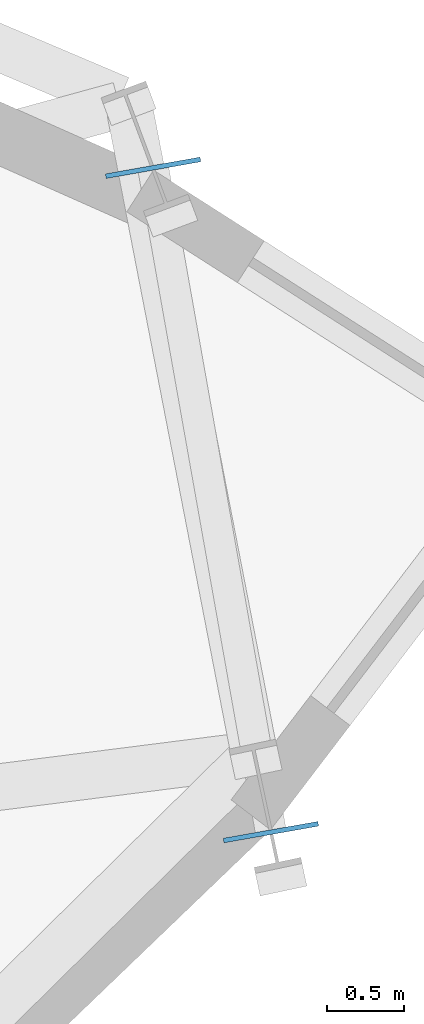
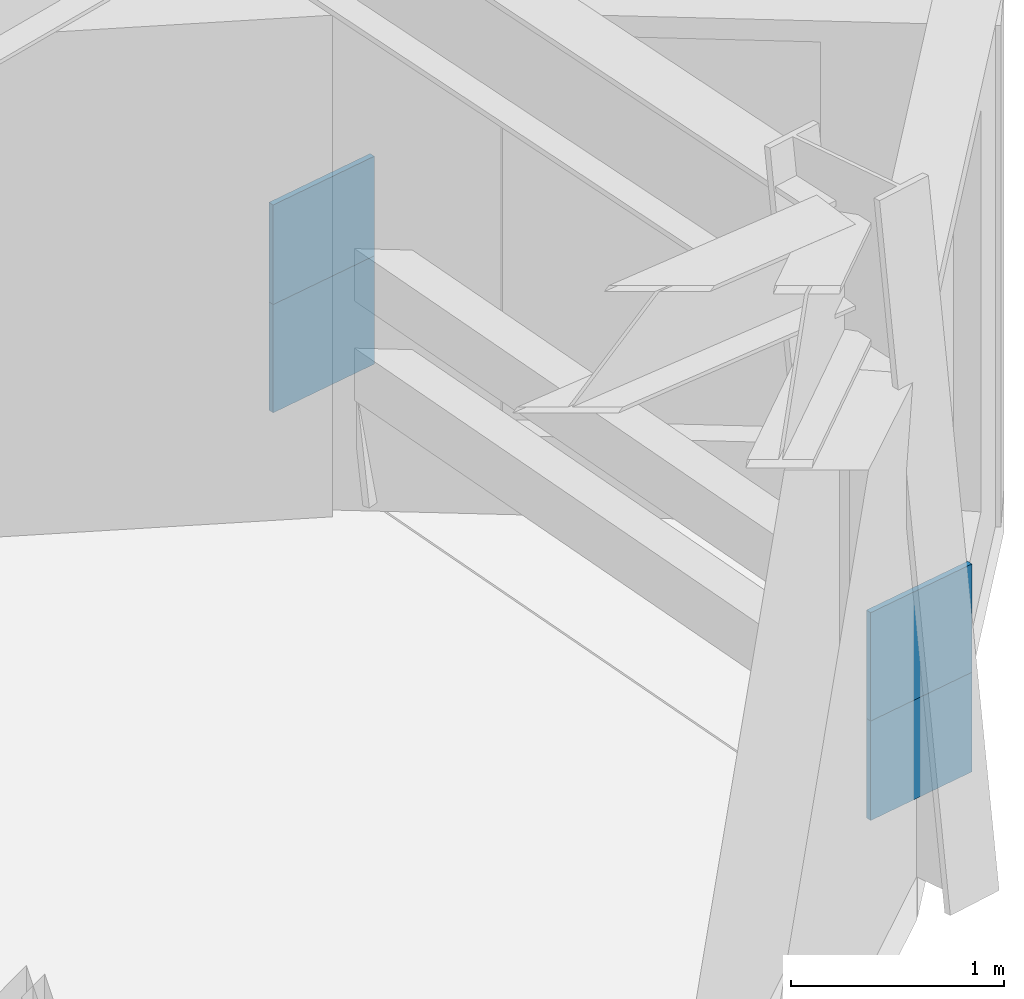
# One storey, part 11 of 17: 4 plates.
"""IFC4 building model written with IfcOpenShell, lengths in metres."""

from ifc_helpers import new_model, si_unit, direction, frame, origin, origin_2d, place, context, subcontext, project, spatial, rectangle, extrude, source, transform, mapped, material, type_object, element, save


model = new_model("IFC4")

# Units and contexts
model_context = context("Model", 3, precision=1e-05, world=origin(), true_north=direction((0.0, 1.0)))
body_context = subcontext(model_context, "Body", "Model", "MODEL_VIEW")
ifc_project = project(units=[si_unit("LENGTHUNIT", "METRE"), si_unit("AREAUNIT", "SQUARE_METRE"), si_unit("VOLUMEUNIT", "CUBIC_METRE"), si_unit("PLANEANGLEUNIT", "RADIAN"), si_unit("MASSUNIT", "GRAM", prefix="KILO")], contexts=[model_context])

# Site, building, storey
site_placement = place(None, origin())
site = spatial("IfcSite", under=ifc_project, at=site_placement, CompositionType="ELEMENT")
building_placement = place(site_placement, origin())
building = spatial("IfcBuilding", under=site, at=building_placement, Name="Olszyna Solenne Hotel", CompositionType="ELEMENT")
storey_placement = place(building_placement, frame((0.0, 0.0, 75.89990234375)))
storey = spatial("IfcBuildingStorey", under=building, at=storey_placement, Name="L19", CompositionType="ELEMENT", Elevation=75.89990234375)

# Plates
ifc_material = material(Name="Steel S460M", Category="steel")
plate_type = type_object("IfcPlateType", Name="GP-CAP2", PredefinedType="USERDEFINED", material=ifc_material)
shared_shape = source(origin(), body_context, "Body", "SweptSolid", [
    extrude(rectangle(XDim=0.030029296875, YDim=0.6201171875, at=origin_2d()), origin(), (0.0, 0.0, 1.0), 0.6201171875),
])
for number, where, z_axis, x_axis, name in (
    (1, (68.2978515625, 29.927978515625, 1.0400390625), (0.0, 0.0, 1.0), (-0.174507518327, 0.984655841422, 0.0), "Hollow section end-cap plate GP-CAP2 CP-PR-M-L19-PR1-1"),
    (2, (67.537841796875, 34.21630859375, 1.0400390625), (0.0, 0.0, 1.0), (-0.174507518327, 0.984655841422, 0.0), "Hollow section end-cap plate GP-CAP2 CP-PR-M-L19-PR1-2"),
    (3, (68.2978515625, 29.927978515625, 0.469970703125), (0.0, 0.0, 1.0), (-0.174507518327, 0.984655841422, 0.0), "Hollow section end-cap plate GP-CAP2 CP-PR-M-L19-PR2-1"),
    (4, (67.537841796875, 34.21630859375, 0.469970703125), (0.0, 0.0, 1.0), (-0.174507518327, 0.984655841422, 0.0), "Hollow section end-cap plate GP-CAP2 CP-PR-M-L19-PR2-2"),
):
    element("IfcPlate", number, at=place(storey_placement, frame(where, z_axis=z_axis, x_axis=x_axis)), inside=storey, type_object=plate_type, Name=name, ObjectType="GUSSET_PLATE", PredefinedType="USERDEFINED", context=body_context, shape_type="MappedRepresentation", body=[
        mapped(shared_shape, transform((0.0, 0.0, 0.0), x_axis=(1.0, 0.0, 0.0), y_axis=(0.0, 1.0, 0.0), z_axis=(0.0, 0.0, 1.0), scale=1.0)),
    ])

save(model, "model.ifc")
